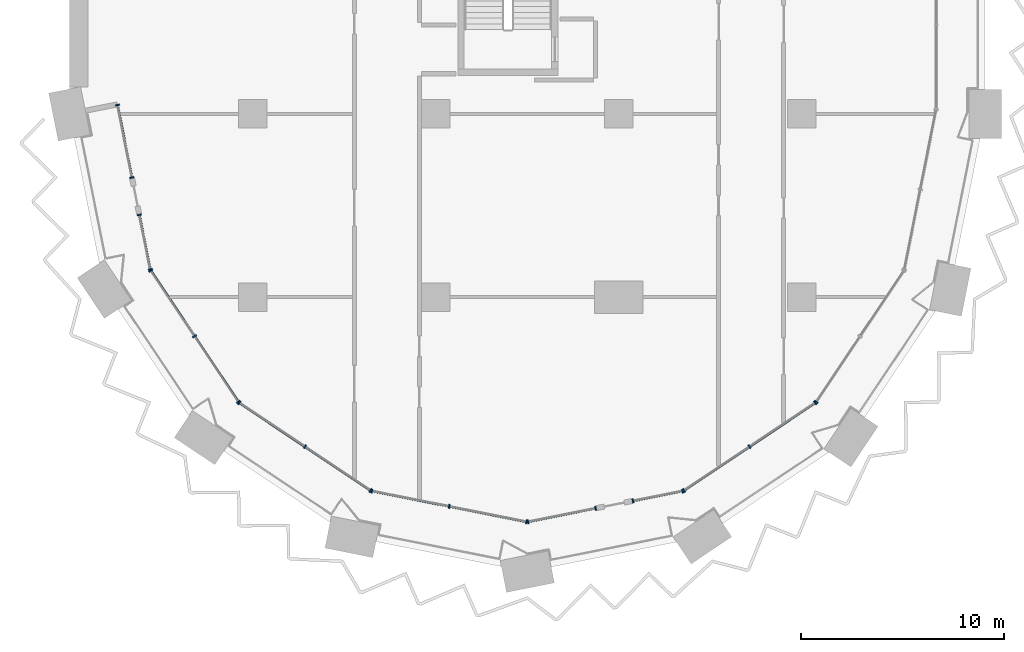
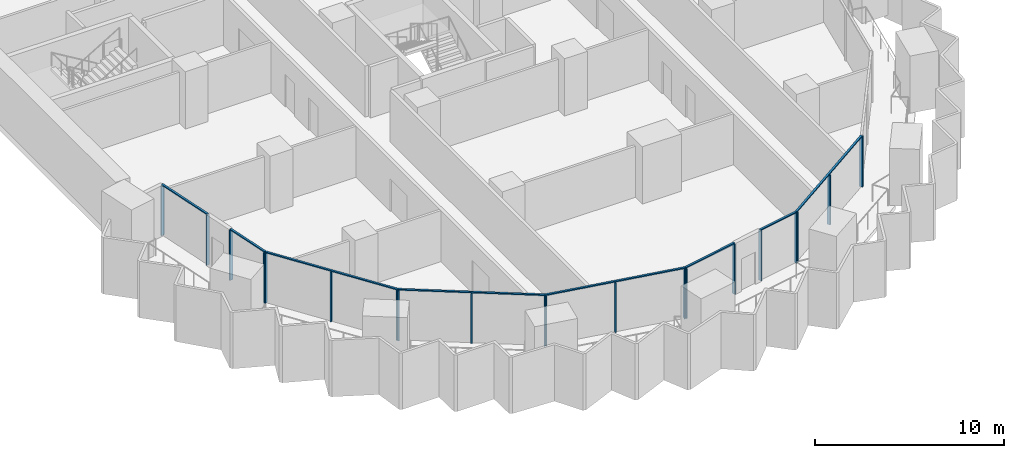
# One storey, part 2 of 28: 29 members, 9 elements without a shape of their own.
"""IFC4 building model written with IfcOpenShell, lengths in metres."""

from ifc_helpers import new_model, si_unit, direction, frame, origin, origin_2d, place, context, subcontext, project, spatial, rectangle, extrude, material, material_profile, profile_set, type_object, element, aggregate, save


model = new_model("IFC4")

# Units and contexts
model_context = context("Model", 3, precision=1e-05, world=origin(), true_north=direction((0.0, 1.0)))
body_context = subcontext(model_context, "Body", "Model", "MODEL_VIEW")
ifc_project = project(units=[si_unit("LENGTHUNIT", "METRE"), si_unit("AREAUNIT", "SQUARE_METRE"), si_unit("VOLUMEUNIT", "CUBIC_METRE"), si_unit("PLANEANGLEUNIT", "RADIAN"), si_unit("MASSUNIT", "GRAM", prefix="KILO")], contexts=[model_context])

# Site, building, storey
site_placement = place(None, origin())
site = spatial("IfcSite", under=ifc_project, at=site_placement, CompositionType="ELEMENT")
building_placement = place(site_placement, origin())
building = spatial("IfcBuilding", under=site, at=building_placement, Name="Hunhe Ridgeline Campus", CompositionType="ELEMENT")
storey_placement = place(building_placement, frame((0.0, 0.0, 35.800048828125)))
storey = spatial("IfcBuildingStorey", under=building, at=storey_placement, Name="L07", CompositionType="ELEMENT", Elevation=35.800048828125)

# Curtain wall, members
ifc_material = material(Name="Aluminium 6063", Category="aluminium")
curtain_wall_type = type_object("IfcCurtainWallType", Name="Curtain wall CW-5", PredefinedType="NOTDEFINED", material=ifc_material)
curtain_wall_1_placement = place(storey_placement, origin())
curtain_wall_1 = element("IfcCurtainWall", 1, at=curtain_wall_1_placement, inside=storey, type_object=curtain_wall_type, Name="Curtain wall 01", PredefinedType="NOTDEFINED")
ifc_material_profile_1 = material_profile(ifc_material, rectangle(XDim=0.199951171875, YDim=0.070068359375, at=origin_2d()))
ifc_profile_set_1 = profile_set([ifc_material_profile_1], Name="Aluminium 6063")
member_type_1 = type_object("IfcMemberType", Name="CW-5 aluminium mullion", PredefinedType="MULLION", material=ifc_profile_set_1)
member_1_placement = place(storey_placement, frame((2.361572265625, 27.434326171875, 0.0), z_axis=(0.0, 0.0, 1.0), x_axis=(0.980784284924, 0.195095326561, 0.0)))
member_1 = element("IfcMember", 2, at=member_1_placement, type_object=member_type_1, Name="CW-5 mullion 1", PredefinedType="MULLION", context=body_context, shape_type="SweptSolid", body=[
    extrude(rectangle(XDim=0.199951171875, YDim=0.070068359375, at=origin_2d()), origin(), (0.0, 0.0, 1.0), 3.22998046875),
])
member_2_placement = place(storey_placement, frame((3.070068359375, 23.873291015625, 0.0), z_axis=(0.0, 0.0, 1.0), x_axis=(0.980784284924, 0.195095326561, 0.0)))
member_2 = element("IfcMember", 3, at=member_2_placement, type_object=member_type_1, Name="CW-5 mullion 2", PredefinedType="MULLION", context=body_context, shape_type="SweptSolid", body=[
    extrude(rectangle(XDim=0.199951171875, YDim=0.070068359375, at=origin_2d()), origin(), (0.0, 0.0, 1.0), 3.22998046875),
])

curtain_wall_2_placement = place(storey_placement, origin())
curtain_wall_2 = element("IfcCurtainWall", 4, at=curtain_wall_2_placement, inside=storey, type_object=curtain_wall_type, Name="Curtain wall 02", PredefinedType="NOTDEFINED")
member_3_placement = place(storey_placement, frame((3.434814453125, 22.0390625, 0.0), z_axis=(0.0, 0.0, 1.0), x_axis=(0.980784297053, 0.195095265587, 0.0)))
member_3 = element("IfcMember", 5, at=member_3_placement, type_object=member_type_1, Name="CW-5 mullion 1", PredefinedType="MULLION", context=body_context, shape_type="SweptSolid", body=[
    extrude(rectangle(XDim=0.199951171875, YDim=0.070068359375, at=origin_2d()), origin(), (0.0, 0.0, 1.0), 3.22998046875),
])
member_4_placement = place(storey_placement, frame((3.967529296875, 19.36083984375, 0.0), z_axis=(0.0, 0.0, 1.0), x_axis=(0.980784297053, 0.195095265587, 0.0)))
member_4 = element("IfcMember", 6, at=member_4_placement, type_object=member_type_1, Name="CW-5 mullion 2", PredefinedType="MULLION", context=body_context, shape_type="SweptSolid", body=[
    extrude(rectangle(XDim=0.199951171875, YDim=0.070068359375, at=origin_2d()), origin(), (0.0, 0.0, 1.0), 3.22998046875),
])

curtain_wall_3_placement = place(storey_placement, origin())
curtain_wall_3 = element("IfcCurtainWall", 7, at=curtain_wall_3_placement, inside=storey, type_object=curtain_wall_type, Name="Curtain wall 03", PredefinedType="NOTDEFINED")
member_5_placement = place(storey_placement, frame((3.993896484375, 19.29736328125, 0.0), z_axis=(0.0, 0.0, 1.0), x_axis=(0.831469584522, 0.555570274596, 0.0)))
member_5 = element("IfcMember", 8, at=member_5_placement, type_object=member_type_1, Name="CW-5 mullion 1", PredefinedType="MULLION", context=body_context, shape_type="SweptSolid", body=[
    extrude(rectangle(XDim=0.199951171875, YDim=0.070068359375, at=origin_2d()), origin(), (0.0, 0.0, 1.0), 3.22998046875),
])
member_6_placement = place(storey_placement, frame((6.147705078125, 16.07373046875, 0.0), z_axis=(0.0, 0.0, 1.0), x_axis=(0.831469584522, 0.555570274596, 0.0)))
member_6 = element("IfcMember", 9, at=member_6_placement, type_object=member_type_1, Name="CW-5 mullion 2", PredefinedType="MULLION", context=body_context, shape_type="SweptSolid", body=[
    extrude(rectangle(XDim=0.199951171875, YDim=0.070068359375, at=origin_2d()), origin(), (0.0, 0.0, 1.0), 3.22998046875),
])
member_7_placement = place(storey_placement, frame((8.3017578125, 12.850341796875, 0.0), z_axis=(0.0, 0.0, 1.0), x_axis=(0.831469584522, 0.555570274596, 0.0)))
member_7 = element("IfcMember", 10, at=member_7_placement, type_object=member_type_1, Name="CW-5 mullion 3", PredefinedType="MULLION", context=body_context, shape_type="SweptSolid", body=[
    extrude(rectangle(XDim=0.199951171875, YDim=0.070068359375, at=origin_2d()), origin(), (0.0, 0.0, 1.0), 3.22998046875),
])

curtain_wall_4_placement = place(storey_placement, origin())
curtain_wall_4 = element("IfcCurtainWall", 11, at=curtain_wall_4_placement, inside=storey, type_object=curtain_wall_type, Name="Curtain wall 04", PredefinedType="NOTDEFINED")
member_8_placement = place(storey_placement, frame((8.350341796875, 12.8017578125, 0.0), z_axis=(0.0, 0.0, 1.0), x_axis=(0.555570274596, 0.831469584522, 0.0)))
member_8 = element("IfcMember", 12, at=member_8_placement, type_object=member_type_1, Name="CW-5 mullion 1", PredefinedType="MULLION", context=body_context, shape_type="SweptSolid", body=[
    extrude(rectangle(XDim=0.199951171875, YDim=0.070068359375, at=origin_2d()), origin(), (0.0, 0.0, 1.0), 3.22998046875),
])
member_9_placement = place(storey_placement, frame((11.57373046875, 10.647705078125, 0.0), z_axis=(0.0, 0.0, 1.0), x_axis=(0.555570274596, 0.831469584522, 0.0)))
member_9 = element("IfcMember", 13, at=member_9_placement, type_object=member_type_1, Name="CW-5 mullion 2", PredefinedType="MULLION", context=body_context, shape_type="SweptSolid", body=[
    extrude(rectangle(XDim=0.199951171875, YDim=0.070068359375, at=origin_2d()), origin(), (0.0, 0.0, 1.0), 3.22998046875),
])
member_10_placement = place(storey_placement, frame((14.79736328125, 8.493896484375, 0.0), z_axis=(0.0, 0.0, 1.0), x_axis=(0.555570274596, 0.831469584522, 0.0)))
member_10 = element("IfcMember", 14, at=member_10_placement, type_object=member_type_1, Name="CW-5 mullion 3", PredefinedType="MULLION", context=body_context, shape_type="SweptSolid", body=[
    extrude(rectangle(XDim=0.199951171875, YDim=0.070068359375, at=origin_2d()), origin(), (0.0, 0.0, 1.0), 3.22998046875),
])

curtain_wall_5_placement = place(storey_placement, origin())
curtain_wall_5 = element("IfcCurtainWall", 15, at=curtain_wall_5_placement, inside=storey, type_object=curtain_wall_type, Name="Curtain wall 05", PredefinedType="NOTDEFINED")
member_11_placement = place(storey_placement, frame((14.86083984375, 8.467529296875, 0.0), z_axis=(0.0, 0.0, 1.0), x_axis=(0.195090347539, 0.980785275326, 0.0)))
member_11 = element("IfcMember", 16, at=member_11_placement, type_object=member_type_1, Name="CW-5 mullion 1", PredefinedType="MULLION", context=body_context, shape_type="SweptSolid", body=[
    extrude(rectangle(XDim=0.199951171875, YDim=0.070068359375, at=origin_2d()), origin(), (0.0, 0.0, 1.0), 3.22998046875),
])
member_12_placement = place(storey_placement, frame((18.663330078125, 7.711181640625, 0.0), z_axis=(0.0, 0.0, 1.0), x_axis=(0.195090347539, 0.980785275326, 0.0)))
member_12 = element("IfcMember", 17, at=member_12_placement, type_object=member_type_1, Name="CW-5 mullion 2", PredefinedType="MULLION", context=body_context, shape_type="SweptSolid", body=[
    extrude(rectangle(XDim=0.199951171875, YDim=0.070068359375, at=origin_2d()), origin(), (0.0, 0.0, 1.0), 3.22998046875),
])
member_13_placement = place(storey_placement, frame((22.465576171875, 6.954833984375, 0.0), z_axis=(0.0, 0.0, 1.0), x_axis=(0.195090347539, 0.980785275326, 0.0)))
member_13 = element("IfcMember", 18, at=member_13_placement, type_object=member_type_1, Name="CW-5 mullion 3", PredefinedType="MULLION", context=body_context, shape_type="SweptSolid", body=[
    extrude(rectangle(XDim=0.199951171875, YDim=0.070068359375, at=origin_2d()), origin(), (0.0, 0.0, 1.0), 3.22998046875),
])

curtain_wall_6_placement = place(storey_placement, origin())
curtain_wall_6 = element("IfcCurtainWall", 19, at=curtain_wall_6_placement, inside=storey, type_object=curtain_wall_type, Name="Curtain wall 06", PredefinedType="NOTDEFINED")
member_14_placement = place(storey_placement, frame((22.534423828125, 6.954833984375, 0.0), z_axis=(0.0, 0.0, 1.0), x_axis=(-0.19509037034, 0.980785270791, 0.0)))
member_14 = element("IfcMember", 20, at=member_14_placement, type_object=member_type_1, Name="CW-5 mullion 1", PredefinedType="MULLION", context=body_context, shape_type="SweptSolid", body=[
    extrude(rectangle(XDim=0.199951171875, YDim=0.070068359375, at=origin_2d()), origin(), (0.0, 0.0, 1.0), 3.22998046875),
])
member_15_placement = place(storey_placement, frame((25.861083984375, 7.61669921875, 0.0), z_axis=(0.0, 0.0, 1.0), x_axis=(-0.19509037034, 0.980785270791, 0.0)))
member_15 = element("IfcMember", 21, at=member_15_placement, type_object=member_type_1, Name="CW-5 mullion 2", PredefinedType="MULLION", context=body_context, shape_type="SweptSolid", body=[
    extrude(rectangle(XDim=0.199951171875, YDim=0.070068359375, at=origin_2d()), origin(), (0.0, 0.0, 1.0), 3.22998046875),
])

curtain_wall_7_placement = place(storey_placement, origin())
curtain_wall_7 = element("IfcCurtainWall", 22, at=curtain_wall_7_placement, inside=storey, type_object=curtain_wall_type, Name="Curtain wall 07", PredefinedType="NOTDEFINED")
member_16_placement = place(storey_placement, frame((27.695068359375, 7.9814453125, 0.0), z_axis=(0.0, 0.0, 1.0), x_axis=(-0.195090514627, 0.980785242091, 0.0)))
member_16 = element("IfcMember", 23, at=member_16_placement, type_object=member_type_1, Name="CW-5 mullion 1", PredefinedType="MULLION", context=body_context, shape_type="SweptSolid", body=[
    extrude(rectangle(XDim=0.199951171875, YDim=0.070068359375, at=origin_2d()), origin(), (0.0, 0.0, 1.0), 3.22998046875),
])
member_17_placement = place(storey_placement, frame((30.13916015625, 8.467529296875, 0.0), z_axis=(0.0, 0.0, 1.0), x_axis=(-0.195090514627, 0.980785242091, 0.0)))
member_17 = element("IfcMember", 24, at=member_17_placement, type_object=member_type_1, Name="CW-5 mullion 2", PredefinedType="MULLION", context=body_context, shape_type="SweptSolid", body=[
    extrude(rectangle(XDim=0.199951171875, YDim=0.070068359375, at=origin_2d()), origin(), (0.0, 0.0, 1.0), 3.22998046875),
])

curtain_wall_8_placement = place(storey_placement, origin())
curtain_wall_8 = element("IfcCurtainWall", 25, at=curtain_wall_8_placement, inside=storey, type_object=curtain_wall_type, Name="Curtain wall 08", PredefinedType="NOTDEFINED")
member_18_placement = place(storey_placement, frame((30.20263671875, 8.493896484375, 0.0), z_axis=(0.0, 0.0, 1.0), x_axis=(-0.555570274596, 0.831469584522, 0.0)))
member_18 = element("IfcMember", 26, at=member_18_placement, type_object=member_type_1, Name="CW-5 mullion 1", PredefinedType="MULLION", context=body_context, shape_type="SweptSolid", body=[
    extrude(rectangle(XDim=0.199951171875, YDim=0.070068359375, at=origin_2d()), origin(), (0.0, 0.0, 1.0), 3.22998046875),
])
member_19_placement = place(storey_placement, frame((33.42626953125, 10.647705078125, 0.0), z_axis=(0.0, 0.0, 1.0), x_axis=(-0.555570274596, 0.831469584522, 0.0)))
member_19 = element("IfcMember", 27, at=member_19_placement, type_object=member_type_1, Name="CW-5 mullion 2", PredefinedType="MULLION", context=body_context, shape_type="SweptSolid", body=[
    extrude(rectangle(XDim=0.199951171875, YDim=0.070068359375, at=origin_2d()), origin(), (0.0, 0.0, 1.0), 3.22998046875),
])
member_20_placement = place(storey_placement, frame((36.649658203125, 12.8017578125, 0.0), z_axis=(0.0, 0.0, 1.0), x_axis=(-0.555570274596, 0.831469584522, 0.0)))
member_20 = element("IfcMember", 28, at=member_20_placement, type_object=member_type_1, Name="CW-5 mullion 3", PredefinedType="MULLION", context=body_context, shape_type="SweptSolid", body=[
    extrude(rectangle(XDim=0.199951171875, YDim=0.070068359375, at=origin_2d()), origin(), (0.0, 0.0, 1.0), 3.22998046875),
])

# Curtain wall, member
curtain_wall_9_placement = place(storey_placement, origin())
curtain_wall_9 = element("IfcCurtainWall", 29, at=curtain_wall_9_placement, inside=storey, type_object=curtain_wall_type, Name="Curtain wall 09", PredefinedType="NOTDEFINED")
member_21_placement = place(storey_placement, frame((36.6982421875, 12.850341796875, 0.0), z_axis=(0.0, 0.0, 1.0), x_axis=(-0.831469584522, 0.555570274596, 0.0)))
member_21 = element("IfcMember", 30, at=member_21_placement, type_object=member_type_1, Name="CW-5 mullion 1", PredefinedType="MULLION", context=body_context, shape_type="SweptSolid", body=[
    extrude(rectangle(XDim=0.199951171875, YDim=0.070068359375, at=origin_2d()), origin(), (0.0, 0.0, 1.0), 3.22998046875),
])
aggregate(curtain_wall_9, [member_21])

# Member
ifc_material_profile_2 = material_profile(ifc_material, rectangle(XDim=0.1201171875, YDim=0.070068359375, at=origin_2d()))
ifc_profile_set_2 = profile_set([ifc_material_profile_2], Name="Aluminium 6063")
member_type_2 = type_object("IfcMemberType", Name="CW-5 aluminium transom", PredefinedType="USERDEFINED", material=ifc_profile_set_2)
member_22_placement = place(storey_placement, frame((2.354736328125, 27.46875, 3.264892578125), z_axis=(0.195126549745, -0.980778073564, 0.0), x_axis=(0.980778073564, 0.195126549745, 0.0)))
member_22 = element("IfcMember", 31, at=member_22_placement, type_object=member_type_2, Name="CW-5 transom 1", ObjectType="TRANSOM", PredefinedType="USERDEFINED", context=body_context, shape_type="SweptSolid", body=[
    extrude(rectangle(XDim=0.1201171875, YDim=0.070068359375, at=origin_2d()), origin(), (0.0, 0.0, 1.0), 3.700927734375),
])

aggregate(curtain_wall_1, [member_22, member_1, member_2])

member_23_placement = place(storey_placement, frame((3.427978515625, 22.073486328125, 3.264892578125), z_axis=(0.195076742145, -0.98078798151, 0.0), x_axis=(0.98078798151, 0.195076742145, 0.0)))
member_23 = element("IfcMember", 32, at=member_23_placement, type_object=member_type_2, Name="CW-5 transom 1", ObjectType="TRANSOM", PredefinedType="USERDEFINED", context=body_context, shape_type="SweptSolid", body=[
    extrude(rectangle(XDim=0.1201171875, YDim=0.070068359375, at=origin_2d()), origin(), (0.0, 0.0, 1.0), 2.80078125),
])

aggregate(curtain_wall_2, [member_23, member_3, member_4])

member_24_placement = place(storey_placement, frame((3.974365234375, 19.326416015625, 3.264892578125), z_axis=(0.5555640203, -0.831473763475, 0.0), x_axis=(0.831473763475, 0.5555640203, 0.0)))
member_24 = element("IfcMember", 33, at=member_24_placement, type_object=member_type_2, Name="CW-5 transom 1", ObjectType="TRANSOM", PredefinedType="USERDEFINED", context=body_context, shape_type="SweptSolid", body=[
    extrude(rectangle(XDim=0.1201171875, YDim=0.070068359375, at=origin_2d()), origin(), (0.0, 0.0, 1.0), 7.823974609375),
])

aggregate(curtain_wall_3, [member_24, member_5, member_6, member_7])

member_25_placement = place(storey_placement, frame((8.321044921875, 12.821044921875, 3.264892578125), z_axis=(0.831473763475, -0.5555640203, 0.0), x_axis=(0.5555640203, 0.831473763475, 0.0)))
member_25 = element("IfcMember", 34, at=member_25_placement, type_object=member_type_2, Name="CW-5 transom 1", ObjectType="TRANSOM", PredefinedType="USERDEFINED", context=body_context, shape_type="SweptSolid", body=[
    extrude(rectangle(XDim=0.1201171875, YDim=0.070068359375, at=origin_2d()), origin(), (0.0, 0.0, 1.0), 7.823974609375),
])

aggregate(curtain_wall_4, [member_25, member_8, member_9, member_10])

member_26_placement = place(storey_placement, frame((14.826416015625, 8.474365234375, 3.264892578125), z_axis=(0.980785367689, -0.195089883198, 0.0), x_axis=(0.195089883198, 0.980785367689, 0.0)))
member_26 = element("IfcMember", 35, at=member_26_placement, type_object=member_type_2, Name="CW-5 transom 1", ObjectType="TRANSOM", PredefinedType="USERDEFINED", context=body_context, shape_type="SweptSolid", body=[
    extrude(rectangle(XDim=0.1201171875, YDim=0.070068359375, at=origin_2d()), origin(), (0.0, 0.0, 1.0), 7.823974609375),
])

aggregate(curtain_wall_5, [member_26, member_11, member_12, member_13])

member_27_placement = place(storey_placement, frame((22.5, 6.947998046875, 3.264892578125), z_axis=(0.980778171596, 0.195126057004, 0.0), x_axis=(-0.195126057004, 0.980778171596, 0.0)))
member_27 = element("IfcMember", 36, at=member_27_placement, type_object=member_type_2, Name="CW-5 transom 1", ObjectType="TRANSOM", PredefinedType="USERDEFINED", context=body_context, shape_type="SweptSolid", body=[
    extrude(rectangle(XDim=0.1201171875, YDim=0.070068359375, at=origin_2d()), origin(), (0.0, 0.0, 1.0), 3.462158203125),
])

aggregate(curtain_wall_6, [member_27, member_14, member_15])

member_28_placement = place(storey_placement, frame((27.660888671875, 7.974609375, 3.264892578125), z_axis=(0.980789038007, 0.195071430315, 0.0), x_axis=(-0.195071430315, 0.980789038007, 0.0)))
member_28 = element("IfcMember", 37, at=member_28_placement, type_object=member_type_2, Name="CW-5 transom 1", ObjectType="TRANSOM", PredefinedType="USERDEFINED", context=body_context, shape_type="SweptSolid", body=[
    extrude(rectangle(XDim=0.1201171875, YDim=0.070068359375, at=origin_2d()), origin(), (0.0, 0.0, 1.0), 2.56201171875),
])

aggregate(curtain_wall_7, [member_28, member_16, member_17])

member_29_placement = place(storey_placement, frame((30.173583984375, 8.474365234375, 3.264892578125), z_axis=(0.831473763475, 0.5555640203, 0.0), x_axis=(-0.5555640203, 0.831473763475, 0.0)))
member_29 = element("IfcMember", 38, at=member_29_placement, type_object=member_type_2, Name="CW-5 transom 1", ObjectType="TRANSOM", PredefinedType="USERDEFINED", context=body_context, shape_type="SweptSolid", body=[
    extrude(rectangle(XDim=0.1201171875, YDim=0.070068359375, at=origin_2d()), origin(), (0.0, 0.0, 1.0), 7.823974609375),
])

aggregate(curtain_wall_8, [member_29, member_18, member_19, member_20])

save(model, "model.ifc")
